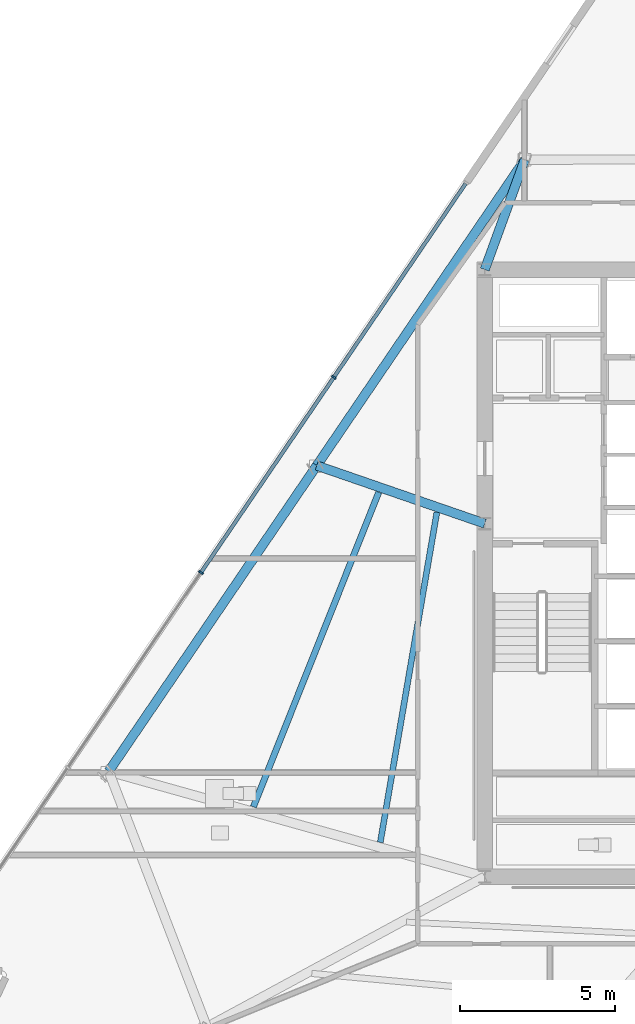
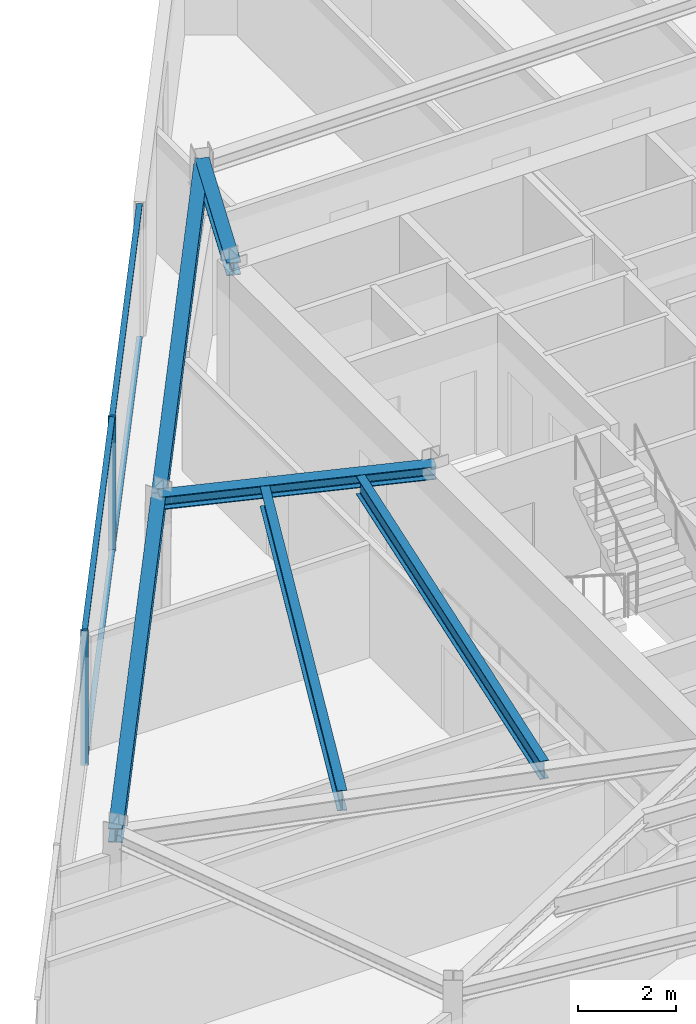
# One storey, part 4 of 14: 6 beams, 6 members, 1 element without a shape of its own.
"""IFC4 building model written with IfcOpenShell, lengths in metres."""

from ifc_helpers import new_model, si_unit, direction, frame, origin, origin_2d, place, context, subcontext, project, spatial, rectangle, i_section, extrude, material, material_profile, profile_set, type_object, element, aggregate, save


model = new_model("IFC4")

# Units and contexts
model_context = context("Model", 3, precision=1e-05, world=origin(), true_north=direction((0.0, 1.0)))
body_context = subcontext(model_context, "Body", "Model", "MODEL_VIEW")
ifc_project = project(units=[si_unit("LENGTHUNIT", "METRE"), si_unit("AREAUNIT", "SQUARE_METRE"), si_unit("VOLUMEUNIT", "CUBIC_METRE"), si_unit("PLANEANGLEUNIT", "RADIAN"), si_unit("MASSUNIT", "GRAM", prefix="KILO")], contexts=[model_context])

# Site, building, storey
site_placement = place(None, origin())
site = spatial("IfcSite", under=ifc_project, at=site_placement, CompositionType="ELEMENT")
building_placement = place(site_placement, origin())
building = spatial("IfcBuilding", under=site, at=building_placement, Name="Savorim Split Tower", CompositionType="ELEMENT")
storey_placement = place(building_placement, frame((0.0, 0.0, 209.10009765625)))
storey = spatial("IfcBuildingStorey", under=building, at=storey_placement, Name="L55", CompositionType="ELEMENT", Elevation=209.10009765625)

# Beams
ifc_material_1 = material(Name="Steel S355", Category="steel")
ifc_material_profile_1 = material_profile(ifc_material_1, i_section(OverallWidth=0.18994140625, OverallDepth=0.449951171875, WebThickness=0.009521484375, FlangeThickness=0.0146484375, FilletRadius=0.02099609375, at=origin_2d()), Name="IPE 450")
ifc_profile_set_1 = profile_set([ifc_material_profile_1], Name="Steel S355")
beam_type_1 = type_object("IfcBeamType", Name="BM-JST-IPE450", PredefinedType="JOIST", material=ifc_profile_set_1)
beam_1_placement = place(storey_placement, frame((-9.245361328125, 2.3662109375, 3.125), z_axis=(-0.168945013174, -0.985625477818, 0.0), x_axis=(0.985625477818, -0.168945013174, 0.0)))
element("IfcBeam", 1, at=beam_1_placement, inside=storey, type_object=beam_type_1, Name="L55 Secondary Floor Joist JS-11", PredefinedType="JOIST", context=body_context, shape_type="SweptSolid", body=[
    extrude(i_section(OverallWidth=0.18994140625, OverallDepth=0.449951171875, WebThickness=0.009521484375, FlangeThickness=0.0146484375, FilletRadius=0.02099609375, at=origin_2d()), origin(), (0.0, 0.0, 1.0), 10.812255859375),
])
ifc_material_profile_2 = material_profile(ifc_material_1, i_section(OverallWidth=0.199951171875, OverallDepth=0.5, WebThickness=0.01025390625, FlangeThickness=0.01611328125, FilletRadius=0.02099609375, at=origin_2d()), Name="IPE 500")
ifc_profile_set_2 = profile_set([ifc_material_profile_2], Name="Steel S355")
beam_type_2 = type_object("IfcBeamType", Name="BM-JST-IPE500", PredefinedType="JOIST", material=ifc_profile_set_2)
beam_2_placement = place(storey_placement, frame((-11.12158203125, 3.01171875, 3.099853515625), z_axis=(-0.370065692261, -0.929005588472, 0.0), x_axis=(0.929005588472, -0.370065692261, 0.0)))
element("IfcBeam", 2, at=beam_2_placement, inside=storey, type_object=beam_type_2, Name="L55 Secondary Floor Joist JS-10", PredefinedType="JOIST", context=body_context, shape_type="SweptSolid", body=[
    extrude(i_section(OverallWidth=0.199951171875, OverallDepth=0.5, WebThickness=0.01025390625, FlangeThickness=0.01611328125, FilletRadius=0.02099609375, at=origin_2d()), origin(), (0.0, 0.0, 1.0), 10.931640625),
])
ifc_material_profile_3 = material_profile(ifc_material_1, i_section(OverallWidth=0.300048828125, OverallDepth=0.320068359375, WebThickness=0.011474609375, FlangeThickness=0.0205078125, FilletRadius=0.027099609375, at=origin_2d()), Name="HEB 320")
ifc_profile_set_3 = profile_set([ifc_material_profile_3], Name="Steel S355")
beam_type_3 = type_object("IfcBeamType", Name="BM-PRI-HEB320", PredefinedType="BEAM", material=ifc_profile_set_3)
beam_3_placement = place(storey_placement, frame((-6.4072265625, 13.74365234375, 3.18994140625), z_axis=(-0.342704269395, -0.939443337162, 0.0), x_axis=(0.939443337162, -0.342704269395, 0.0)))
element("IfcBeam", 3, at=beam_3_placement, inside=storey, type_object=beam_type_3, Name="L55 Primary Floor Girder RG-08", PredefinedType="BEAM", context=body_context, shape_type="SweptSolid", body=[
    extrude(i_section(OverallWidth=0.300048828125, OverallDepth=0.320068359375, WebThickness=0.011474609375, FlangeThickness=0.0205078125, FilletRadius=0.027099609375, at=origin_2d()), origin(), (0.0, 0.0, 1.0), 3.772216796875),
])
beam_4_placement = place(storey_placement, frame((-13.123046875, 3.87158203125, 3.18994140625), z_axis=(0.945289738834, -0.32623198748, 0.0), x_axis=(0.32623198748, 0.945289738834, 0.0)))
element("IfcBeam", 4, at=beam_4_placement, inside=storey, type_object=beam_type_3, Name="L55 Primary Floor Girder RG-09", PredefinedType="BEAM", context=body_context, shape_type="SweptSolid", body=[
    extrude(i_section(OverallWidth=0.300048828125, OverallDepth=0.320068359375, WebThickness=0.011474609375, FlangeThickness=0.0205078125, FilletRadius=0.027099609375, at=origin_2d()), origin(), (0.0, 0.0, 1.0), 5.737060546875),
])
ifc_material_profile_4 = material_profile(ifc_material_1, i_section(OverallWidth=0.300048828125, OverallDepth=0.35009765625, WebThickness=0.010009765625, FlangeThickness=0.017578125, FilletRadius=0.027099609375, at=origin_2d()), Name="HEA 360")
ifc_profile_set_4 = profile_set([ifc_material_profile_4], Name="Steel S355")
beam_type_4 = type_object("IfcBeamType", Name="BM-SPN-HEA360", PredefinedType="SPANDREL", material=ifc_profile_set_4)
for number, where, z_axis, x_axis, name in (
    (5, (-6.4072265625, 13.74365234375, 3.1748046875), (-0.562471085497, -0.826816955547, 0.0), (0.826816955547, -0.562471085497, 0.0), "L55 Perimeter Spandrel Beam 8"),
    (6, (-13.123046875, 3.87158203125, 3.1748046875), (-0.562471085497, -0.826816955547, 0.0), (0.826816955547, -0.562471085497, 0.0), "L55 Perimeter Spandrel Beam 9"),
):
    element("IfcBeam", number, at=place(storey_placement, frame(where, z_axis=z_axis, x_axis=x_axis)), inside=storey, type_object=beam_type_4, Name=name, PredefinedType="SPANDREL", context=body_context, shape_type="SweptSolid", body=[
        extrude(i_section(OverallWidth=0.300048828125, OverallDepth=0.35009765625, WebThickness=0.010009765625, FlangeThickness=0.017578125, FilletRadius=0.027099609375, at=origin_2d()), origin(), (0.0, 0.0, 1.0), 11.93994140625),
    ])

# Curtain wall, members
ifc_material_2 = material(Name="Dark Ceramic-Fritted Insulated Glass", Category="glass")
curtain_wall_type = type_object("IfcCurtainWallType", Name="CW-TWR-FRIT-B", PredefinedType="NOTDEFINED", material=ifc_material_2)
curtain_wall_placement = place(storey_placement, origin())
curtain_wall = element("IfcCurtainWall", 7, at=curtain_wall_placement, inside=storey, type_object=curtain_wall_type, Name="L55 Curtain Wall CW-L55-WEST", PredefinedType="NOTDEFINED")
ifc_material_3 = material(Name="Charcoal Anodised Aluminium", Category="aluminium")
ifc_material_profile_5 = material_profile(ifc_material_3, rectangle(XDim=0.159912109375, YDim=0.06005859375, at=origin_2d()), Name="ALU-M 160x60")
ifc_profile_set_5 = profile_set([ifc_material_profile_5], Name="Charcoal Anodised Aluminium")
member_type_1 = type_object("IfcMemberType", Name="CWM-160x60", PredefinedType="MULLION", material=ifc_profile_set_5)
member_1_placement = place(storey_placement, frame((-12.57177734375, 6.72265625, 0.0), z_axis=(0.0, 0.0, 1.0), x_axis=(0.826820907104, -0.562465276773, 0.0)))
member_1 = element("IfcMember", 8, at=member_1_placement, type_object=member_type_1, Name="CW-03 mullion 2", PredefinedType="MULLION", context=body_context, shape_type="SweptSolid", body=[
    extrude(rectangle(XDim=0.159912109375, YDim=0.06005859375, at=origin_2d()), origin(), (0.0, 0.0, 1.0), 3.349853515625),
])
member_2_placement = place(storey_placement, frame((-16.85986328125, 0.419189453125, 0.0), z_axis=(0.0, 0.0, 1.0), x_axis=(0.826820907104, -0.562465276773, 0.0)))
member_2 = element("IfcMember", 9, at=member_2_placement, type_object=member_type_1, Name="CW-03 mullion 3", PredefinedType="MULLION", context=body_context, shape_type="SweptSolid", body=[
    extrude(rectangle(XDim=0.159912109375, YDim=0.06005859375, at=origin_2d()), origin(), (0.0, 0.0, 1.0), 3.349853515625),
])
ifc_material_profile_6 = material_profile(ifc_material_3, rectangle(XDim=0.1201171875, YDim=0.050048828125, at=origin_2d()), Name="ALU-T 120x50")
ifc_profile_set_6 = profile_set([ifc_material_profile_6], Name="Charcoal Anodised Aluminium")
member_type_2 = type_object("IfcMemberType", Name="CWT-120x50", PredefinedType="USERDEFINED", material=ifc_profile_set_6)
member_3_placement = place(storey_placement, frame((-8.317626953125, 12.976318359375, 0.02490234375), z_axis=(-0.562453610104, -0.826828843523, 0.0), x_axis=(0.826828843523, -0.562453610104, 0.0)))
member_3 = element("IfcMember", 10, at=member_3_placement, type_object=member_type_2, Name="CW-03 transom 1.1", ObjectType="TRANSOM", PredefinedType="USERDEFINED", context=body_context, shape_type="SweptSolid", body=[
    extrude(rectangle(XDim=0.1201171875, YDim=0.050048828125, at=origin_2d()), origin(), (0.0, 0.0, 1.0), 7.53369140625),
])
member_4_placement = place(storey_placement, frame((-8.317626953125, 12.976318359375, 3.324951171875), z_axis=(-0.562453610104, -0.826828843523, 0.0), x_axis=(0.826828843523, -0.562453610104, 0.0)))
member_4 = element("IfcMember", 11, at=member_4_placement, type_object=member_type_2, Name="CW-03 transom 1.2", ObjectType="TRANSOM", PredefinedType="USERDEFINED", context=body_context, shape_type="SweptSolid", body=[
    extrude(rectangle(XDim=0.1201171875, YDim=0.050048828125, at=origin_2d()), origin(), (0.0, 0.0, 1.0), 7.53369140625),
])
member_5_placement = place(storey_placement, frame((-12.588623046875, 6.69775390625, 0.02490234375), z_axis=(-0.562460105571, -0.826824424918, 0.0), x_axis=(0.826824424918, -0.562460105571, 0.0)))
member_5 = element("IfcMember", 12, at=member_5_placement, type_object=member_type_2, Name="CW-03 transom 2.1", ObjectType="TRANSOM", PredefinedType="USERDEFINED", context=body_context, shape_type="SweptSolid", body=[
    extrude(rectangle(XDim=0.1201171875, YDim=0.050048828125, at=origin_2d()), origin(), (0.0, 0.0, 1.0), 7.5634765625),
])
member_6_placement = place(storey_placement, frame((-12.588623046875, 6.69775390625, 3.324951171875), z_axis=(-0.562460105571, -0.826824424918, 0.0), x_axis=(0.826824424918, -0.562460105571, 0.0)))
member_6 = element("IfcMember", 13, at=member_6_placement, type_object=member_type_2, Name="CW-03 transom 2.2", ObjectType="TRANSOM", PredefinedType="USERDEFINED", context=body_context, shape_type="SweptSolid", body=[
    extrude(rectangle(XDim=0.1201171875, YDim=0.050048828125, at=origin_2d()), origin(), (0.0, 0.0, 1.0), 7.5634765625),
])
aggregate(curtain_wall, [member_1, member_2, member_3, member_4, member_5, member_6])

save(model, "model.ifc")
